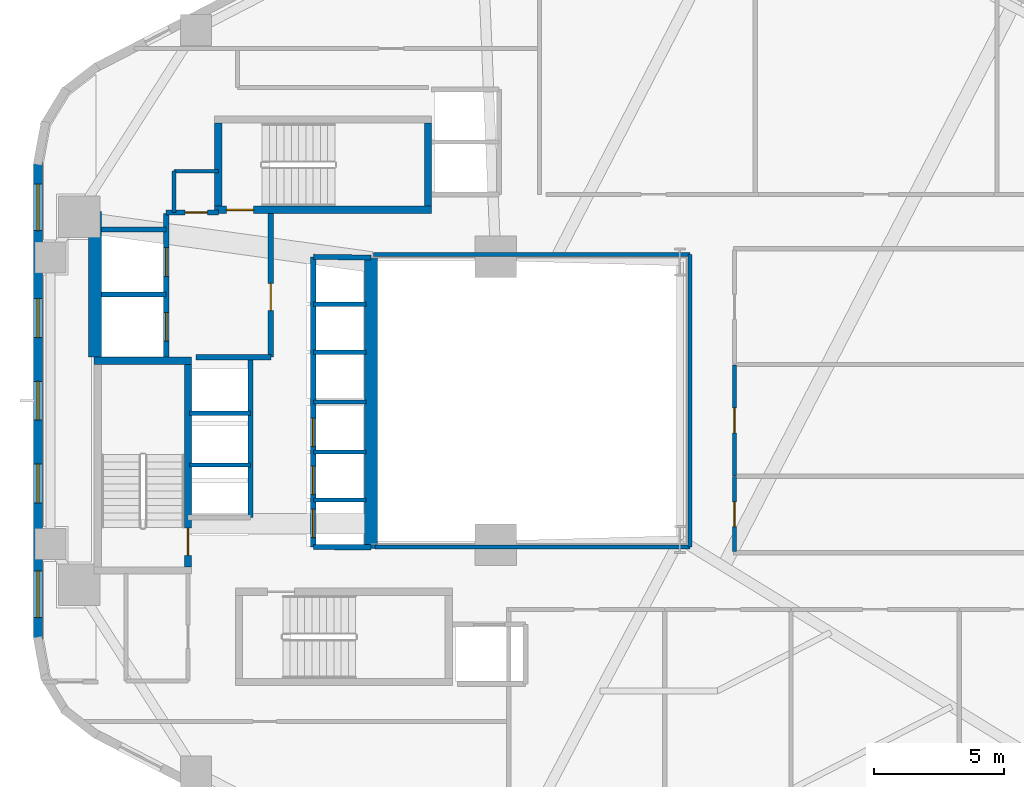
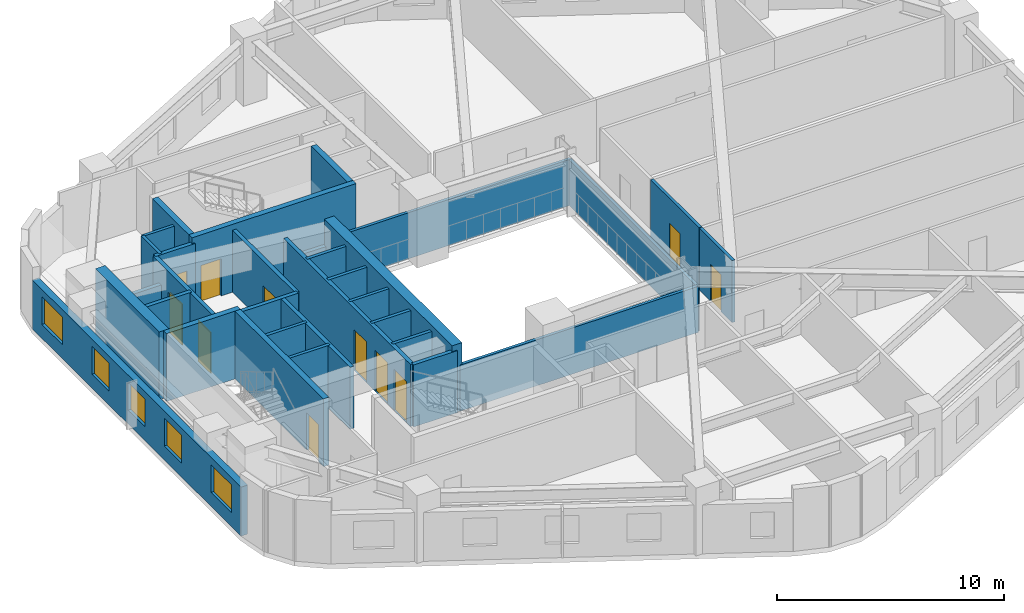
# One storey, part 3 of 6: 32 walls, 11 doors, 5 windows, 16 openings.
"""IFC4 building model written with IfcOpenShell, lengths in metres."""

from ifc_helpers import new_model, si_unit, direction, frame, frame_2d, origin, place, context, subcontext, project, spatial, rectangle, extrude, material, layer, layer_set, type_object, element, fill, save


model = new_model("IFC4")

# Units and contexts
model_context = context("Model", 3, precision=1e-05, world=origin(), true_north=direction((0.0, 1.0)))
body_context = subcontext(model_context, "Body", "Model", "MODEL_VIEW")
ifc_project = project(units=[si_unit("LENGTHUNIT", "METRE"), si_unit("AREAUNIT", "SQUARE_METRE"), si_unit("VOLUMEUNIT", "CUBIC_METRE"), si_unit("PLANEANGLEUNIT", "RADIAN"), si_unit("MASSUNIT", "GRAM", prefix="KILO"), si_unit("THERMODYNAMICTEMPERATUREUNIT", "KELVIN"), si_unit("POWERUNIT", "WATT")], contexts=[model_context])

# Site, building, storey
site_placement = place(None, origin())
site = spatial("IfcSite", under=ifc_project, at=site_placement, CompositionType="ELEMENT")
building_placement = place(site_placement, origin())
building = spatial("IfcBuilding", under=site, at=building_placement, Name="Skarre Station Tower", CompositionType="ELEMENT")
storey_placement = place(building_placement, frame((0.0, 0.0, 92.699951171875)))
storey = spatial("IfcBuildingStorey", under=building, at=storey_placement, Name="L24", CompositionType="ELEMENT", Elevation=92.699951171875)

# Walls
ifc_material_1 = material(Name="Acoustic Steel-Stud Gypsum Partition", Category="steel")
ifc_layer_1 = layer(ifc_material_1, 0.14990234375, Name="Acoustic Steel-Stud Gypsum Partition")
ifc_layer_set_1 = layer_set([ifc_layer_1], Name="Acoustic Steel-Stud Gypsum Partition")
wall_type_1 = type_object("IfcWallType", Name="Fire-Rated Corridor Acoustic Partition 150", PredefinedType="PARTITIONING", material=ifc_layer_set_1)
wall_1_placement = place(storey_placement, frame((19.949951171875, 32.85009765625, 0.0), z_axis=(0.0, 0.0, 1.0), x_axis=(0.0, -1.0, 0.0)))
element("IfcWall", 1, at=wall_1_placement, inside=storey, type_object=wall_type_1, Name="L24 Interior Partition WL-PT-L24-CNW-W", PredefinedType="PARTITIONING", context=body_context, shape_type="SweptSolid", body=[
    extrude(rectangle(XDim=1.590087890625, YDim=0.14990234375, at=frame_2d((0.794921875, 0.0))), origin(), (0.0, 0.0, 1.0), 3.340087890625),
])
wall_2_placement = place(storey_placement, frame((21.659912109375, 32.85009765625, 0.0), z_axis=(0.0, 0.0, 1.0), x_axis=(-1.0, 0.0, 0.0)))
element("IfcWall", 2, at=wall_2_placement, inside=storey, type_object=wall_type_1, Name="L24 Interior Partition WL-PT-L24-CNW-N1", PredefinedType="PARTITIONING", context=body_context, shape_type="SweptSolid", body=[
    extrude(rectangle(XDim=1.7099609375, YDim=0.14990234375, at=frame_2d((0.85498046875, 0.0))), origin(), (0.0, 0.0, 1.0), 3.340087890625),
])
wall_3_placement = place(storey_placement, frame((27.699951171875, 18.360107421875, 0.0), z_axis=(0.0, 0.0, 1.0), x_axis=(1.0, 0.0, 0.0)))
element("IfcWall", 3, at=wall_3_placement, inside=storey, type_object=wall_type_1, Name="L24 Interior Partition WL-PT-L24-ATRW-S", PredefinedType="PARTITIONING", context=body_context, shape_type="SweptSolid", body=[
    extrude(rectangle(XDim=12.14013671875, YDim=0.14990234375, at=frame_2d((6.070068359375, 0.0))), origin(), (0.0, 0.0, 1.0), 2.48095703125),
])
wall_4_placement = place(storey_placement, frame((39.840087890625, 29.639892578125, 0.0), z_axis=(0.0, 0.0, 1.0), x_axis=(-1.0, 0.0, 0.0)))
element("IfcWall", 4, at=wall_4_placement, inside=storey, type_object=wall_type_1, Name="L24 Interior Partition WL-PT-L24-ATRW-N", PredefinedType="PARTITIONING", context=body_context, shape_type="SweptSolid", body=[
    extrude(rectangle(XDim=12.2001953125, YDim=0.14990234375, at=frame_2d((6.10009765625, 0.0))), origin(), (0.0, 0.0, 1.0), 2.48095703125),
])
wall_5_placement = place(storey_placement, frame((39.840087890625, 18.360107421875, 0.0), z_axis=(0.0, 0.0, 1.0), x_axis=(0.0, 1.0, 0.0)))
element("IfcWall", 5, at=wall_5_placement, inside=storey, type_object=wall_type_1, Name="L24 Interior Partition WL-PT-L24-ATRW-E", PredefinedType="PARTITIONING", context=body_context, shape_type="SweptSolid", body=[
    extrude(rectangle(XDim=11.27978515625, YDim=0.14990234375, at=frame_2d((5.639892578125, 0.0))), origin(), (0.0, 0.0, 1.0), 2.463134765625),
])

# Wall, opening, door
wall_6_placement = place(storey_placement, frame((41.56005859375, 18.179931640625, 0.0), z_axis=(0.0, 0.0, 1.0), x_axis=(0.0, 1.0, 0.0)))
wall_6 = element("IfcWall", 6, at=wall_6_placement, inside=storey, type_object=wall_type_1, Name="L24 Interior Partition WL-PT-L24-EW1-CW", PredefinedType="PARTITIONING", context=body_context, shape_type="SweptSolid", body=[
    extrude(rectangle(XDim=2.89208984375, YDim=0.14990234375, at=frame_2d((1.446044921875, 0.0))), origin(), (0.0, 0.0, 1.0), 3.340087890625),
])
opening_1_placement = place(wall_6_placement, frame((0.966064453125, 0.0, 0.0)))
opening_1 = element("IfcOpeningElement", 7, at=opening_1_placement, cuts=wall_6, Name="Opening DR-FD60", PredefinedType="OPENING", context=body_context, shape_type="SweptSolid", body=[
    extrude(rectangle(XDim=0.9599609375, YDim=2.0, at=frame_2d((0.47998046875, 1.0))), frame((0.0, 0.0849609375, 0.0), z_axis=(0.0, -1.0, 0.0), x_axis=(1.0, 0.0, 0.0)), (0.0, 0.0, 1.0), 0.169921875),
])
ifc_material_2 = material(Name="Nordic White-Oak Veneer Solid-Core Fire Leaf", Category="wood")
door_type_1 = type_object("IfcDoorType", Name="Corridor Suite Entry Fire Door FD60 960x2150", OperationType="SINGLE_SWING_LEFT", PredefinedType="DOOR", material=ifc_material_2)
door_1_placement = place(opening_1_placement, origin())
door_1 = element("IfcDoor", 8, at=door_1_placement, inside=storey, type_object=door_type_1, Name="L24 EW1 Entry Door", OperationType="SINGLE_SWING_LEFT", OverallHeight=2.0, OverallWidth=0.9599609375, PredefinedType="DOOR", context=body_context, shape_type="SweptSolid", body=[
    extrude(rectangle(XDim=0.9599609375, YDim=2.0, at=frame_2d((0.47998046875, 1.0))), frame((0.0, 0.02490234375, 0.0), z_axis=(0.0, -1.0, 0.0), x_axis=(1.0, 0.0, 0.0)), (0.0, 0.0, 1.0), 0.050048828125),
])
fill(opening_1, door_1)

wall_7_placement = place(storey_placement, frame((41.56005859375, 21.10791015625, 0.0), z_axis=(0.0, 0.0, 1.0), x_axis=(0.0, 1.0, 0.0)))
wall_7 = element("IfcWall", 9, at=wall_7_placement, inside=storey, type_object=wall_type_1, Name="L24 Interior Partition WL-PT-L24-EW2-CW", PredefinedType="PARTITIONING", context=body_context, shape_type="SweptSolid", body=[
    extrude(rectangle(XDim=4.27099609375, YDim=0.14990234375, at=frame_2d((2.135498046875, 0.0))), origin(), (0.0, 0.0, 1.0), 3.340087890625),
])
opening_2_placement = place(wall_7_placement, frame((1.656005859375, 0.0, 0.0)))
opening_2 = element("IfcOpeningElement", 10, at=opening_2_placement, cuts=wall_7, Name="Opening DR-FD60", PredefinedType="OPENING", context=body_context, shape_type="SweptSolid", body=[
    extrude(rectangle(XDim=0.9599609375, YDim=2.0, at=frame_2d((0.47998046875, 1.0))), frame((0.0, 0.0849609375, 0.0), z_axis=(0.0, -1.0, 0.0), x_axis=(1.0, 0.0, 0.0)), (0.0, 0.0, 1.0), 0.169921875),
])
door_2_placement = place(opening_2_placement, origin())
door_2 = element("IfcDoor", 11, at=door_2_placement, inside=storey, type_object=door_type_1, Name="L24 EW2 Entry Door", OperationType="SINGLE_SWING_LEFT", OverallHeight=2.0, OverallWidth=0.9599609375, PredefinedType="DOOR", context=body_context, shape_type="SweptSolid", body=[
    extrude(rectangle(XDim=0.9599609375, YDim=2.0, at=frame_2d((0.47998046875, 1.0))), frame((0.0, 0.02490234375, 0.0), z_axis=(0.0, -1.0, 0.0), x_axis=(1.0, 0.0, 0.0)), (0.0, 0.0, 1.0), 0.050048828125),
])
fill(opening_2, door_2)

# Wall, openings, windows
ifc_material_3 = material(Name="Precast concrete C45/55", Category="concrete")
ifc_layer_2 = layer(ifc_material_3, 0.340087890625, Name="Precast concrete C45/55")
ifc_layer_set_2 = layer_set([ifc_layer_2], Name="Precast concrete C45/55")
wall_type_2 = type_object("IfcWallType", Name="Nordic Honed Precast Facet Wall 340", PredefinedType="STANDARD", material=ifc_layer_set_2)
wall_8_placement = place(storey_placement, frame((14.70703125, 14.798095703125, 0.0), z_axis=(0.0, 0.0, 1.0), x_axis=(0.0, 1.0, 0.0)))
wall_8 = element("IfcWall", 12, at=wall_8_placement, inside=storey, type_object=wall_type_2, Name="L24 Facet 2 Nordic Precast Masonry Wall", PredefinedType="STANDARD", context=body_context, shape_type="SweptSolid", body=[
    extrude(rectangle(XDim=18.40380859375, YDim=0.340087890625, at=frame_2d((9.201904296875, 0.0))), origin(), (0.0, 0.0, 1.0), 2.634033203125),
])
opening_3_placement = place(wall_8_placement, frame((0.844970703125, 0.0, 0.75)))
opening_3 = element("IfcOpeningElement", 13, at=opening_3_placement, cuts=wall_8, Name="Opening WN-Z1A", PredefinedType="OPENING", context=body_context, shape_type="SweptSolid", body=[
    extrude(rectangle(XDim=1.800048828125, YDim=1.5, at=frame_2d((0.89990234375, 0.75))), frame((0.0, 0.179931640625, 0.0), z_axis=(0.0, -1.0, 0.0), x_axis=(1.0, 0.0, 0.0)), (0.0, 0.0, 1.0), 0.360107421875),
])
opening_4_placement = place(wall_8_placement, frame((5.264892578125, 0.0, 0.75)))
opening_4 = element("IfcOpeningElement", 14, at=opening_4_placement, cuts=wall_8, Name="Opening WN-Z1B", PredefinedType="OPENING", context=body_context, shape_type="SweptSolid", body=[
    extrude(rectangle(XDim=1.5, YDim=1.5, at=frame_2d((0.75, 0.75))), frame((0.0, 0.179931640625, 0.0), z_axis=(0.0, -1.0, 0.0), x_axis=(1.0, 0.0, 0.0)), (0.0, 0.0, 1.0), 0.360107421875),
])
opening_5_placement = place(wall_8_placement, frame((8.451904296875, 0.0, 0.75)))
opening_5 = element("IfcOpeningElement", 15, at=opening_5_placement, cuts=wall_8, Name="Opening WN-Z1B", PredefinedType="OPENING", context=body_context, shape_type="SweptSolid", body=[
    extrude(rectangle(XDim=1.5, YDim=1.5, at=frame_2d((0.75, 0.75))), frame((0.0, 0.179931640625, 0.0), z_axis=(0.0, -1.0, 0.0), x_axis=(1.0, 0.0, 0.0)), (0.0, 0.0, 1.0), 0.360107421875),
])
opening_6_placement = place(wall_8_placement, frame((11.638916015625, 0.0, 0.75)))
opening_6 = element("IfcOpeningElement", 16, at=opening_6_placement, cuts=wall_8, Name="Opening WN-Z1B", PredefinedType="OPENING", context=body_context, shape_type="SweptSolid", body=[
    extrude(rectangle(XDim=1.5, YDim=1.5, at=frame_2d((0.75, 0.75))), frame((0.0, 0.179931640625, 0.0), z_axis=(0.0, -1.0, 0.0), x_axis=(1.0, 0.0, 0.0)), (0.0, 0.0, 1.0), 0.360107421875),
])
opening_7_placement = place(wall_8_placement, frame((15.758056640625, 0.0, 0.75)))
opening_7 = element("IfcOpeningElement", 17, at=opening_7_placement, cuts=wall_8, Name="Opening WN-Z1A", PredefinedType="OPENING", context=body_context, shape_type="SweptSolid", body=[
    extrude(rectangle(XDim=1.800048828125, YDim=1.5, at=frame_2d((0.89990234375, 0.75))), frame((0.0, 0.179931640625, 0.0), z_axis=(0.0, -1.0, 0.0), x_axis=(1.0, 0.0, 0.0)), (0.0, 0.0, 1.0), 0.360107421875),
])
ifc_material_4 = material(Name="Low-Iron Triple Glazing with Bronze Anodized Frame", Category="glass")
window_type_1 = type_object("IfcWindowType", Name="Nordic Punched Triple-Glazed Window 1500x1500", PartitioningType="SINGLE_PANEL", PredefinedType="WINDOW", material=ifc_material_4)
window_1_placement = place(opening_4_placement, origin())
window_1 = element("IfcWindow", 18, at=window_1_placement, inside=storey, type_object=window_type_1, Name="L24 Facade Window WL-FAC-L24-F2-2", OverallHeight=1.5, OverallWidth=1.5, PartitioningType="SINGLE_PANEL", PredefinedType="WINDOW", context=body_context, shape_type="SweptSolid", body=[
    extrude(rectangle(XDim=1.5, YDim=1.5, at=frame_2d((0.75, 0.75))), frame((0.0, 0.030029296875, 0.0), z_axis=(0.0, -1.0, 0.0), x_axis=(1.0, 0.0, 0.0)), (0.0, 0.0, 1.0), 0.06005859375),
])
fill(opening_4, window_1)
window_2_placement = place(opening_5_placement, origin())
window_2 = element("IfcWindow", 19, at=window_2_placement, inside=storey, type_object=window_type_1, Name="L24 Facade Window WL-FAC-L24-F2-3", OverallHeight=1.5, OverallWidth=1.5, PartitioningType="SINGLE_PANEL", PredefinedType="WINDOW", context=body_context, shape_type="SweptSolid", body=[
    extrude(rectangle(XDim=1.5, YDim=1.5, at=frame_2d((0.75, 0.75))), frame((0.0, 0.030029296875, 0.0), z_axis=(0.0, -1.0, 0.0), x_axis=(1.0, 0.0, 0.0)), (0.0, 0.0, 1.0), 0.06005859375),
])
fill(opening_5, window_2)
window_3_placement = place(opening_6_placement, origin())
window_3 = element("IfcWindow", 20, at=window_3_placement, inside=storey, type_object=window_type_1, Name="L24 Facade Window WL-FAC-L24-F2-4", OverallHeight=1.5, OverallWidth=1.5, PartitioningType="SINGLE_PANEL", PredefinedType="WINDOW", context=body_context, shape_type="SweptSolid", body=[
    extrude(rectangle(XDim=1.5, YDim=1.5, at=frame_2d((0.75, 0.75))), frame((0.0, 0.030029296875, 0.0), z_axis=(0.0, -1.0, 0.0), x_axis=(1.0, 0.0, 0.0)), (0.0, 0.0, 1.0), 0.06005859375),
])
fill(opening_6, window_3)
window_type_2 = type_object("IfcWindowType", Name="Nordic Punched Triple-Glazed Window 1800x1500", PartitioningType="SINGLE_PANEL", PredefinedType="WINDOW", material=ifc_material_4)
window_4_placement = place(opening_3_placement, origin())
window_4 = element("IfcWindow", 21, at=window_4_placement, inside=storey, type_object=window_type_2, Name="L24 Facade Window WL-FAC-L24-F2-1", OverallHeight=1.5, OverallWidth=1.800048828125, PartitioningType="SINGLE_PANEL", PredefinedType="WINDOW", context=body_context, shape_type="SweptSolid", body=[
    extrude(rectangle(XDim=1.800048828125, YDim=1.5, at=frame_2d((0.89990234375, 0.75))), frame((0.0, 0.030029296875, 0.0), z_axis=(0.0, -1.0, 0.0), x_axis=(1.0, 0.0, 0.0)), (0.0, 0.0, 1.0), 0.06005859375),
])
fill(opening_3, window_4)
window_5_placement = place(opening_7_placement, origin())
window_5 = element("IfcWindow", 22, at=window_5_placement, inside=storey, type_object=window_type_2, Name="L24 Facade Window WL-FAC-L24-F2-5", OverallHeight=1.5, OverallWidth=1.800048828125, PartitioningType="SINGLE_PANEL", PredefinedType="WINDOW", context=body_context, shape_type="SweptSolid", body=[
    extrude(rectangle(XDim=1.800048828125, YDim=1.5, at=frame_2d((0.89990234375, 0.75))), frame((0.0, 0.030029296875, 0.0), z_axis=(0.0, -1.0, 0.0), x_axis=(1.0, 0.0, 0.0)), (0.0, 0.0, 1.0), 0.06005859375),
])
fill(opening_7, window_5)

# Wall
ifc_material_5 = material(Name="Concrete C50/60", Category="concrete")
ifc_layer_3 = layer(ifc_material_5, 0.280029296875, Name="Concrete C50/60")
ifc_layer_set_3 = layer_set([ifc_layer_3], Name="Concrete C50/60")
wall_type_3 = type_object("IfcWallType", Name="RC Core Shear Wall 280", PredefinedType="SHEAR", material=ifc_layer_set_3)
wall_9_placement = place(storey_placement, frame((20.6298828125, 25.5400390625, 0.0), z_axis=(0.0, 0.0, 1.0), x_axis=(-1.0, 0.0, 0.0)))
element("IfcWall", 23, at=wall_9_placement, inside=storey, type_object=wall_type_3, Name="L24 Stair ST-1 North Shear Wall", PredefinedType="SHEAR", context=body_context, shape_type="SweptSolid", body=[
    extrude(rectangle(XDim=3.759765625, YDim=0.280029296875, at=frame_2d((1.8798828125, 0.0))), origin(), (0.0, 0.0, 1.0), 3.650146484375),
])

# Wall, opening, door
wall_10_placement = place(storey_placement, frame((20.489990234375, 17.60009765625, 0.0), z_axis=(0.0, 0.0, 1.0), x_axis=(0.0, 1.0, 0.0)))
wall_10 = element("IfcWall", 24, at=wall_10_placement, inside=storey, type_object=wall_type_3, Name="L24 Stair ST-1 East Shear Wall", PredefinedType="SHEAR", context=body_context, shape_type="SweptSolid", body=[
    extrude(rectangle(XDim=7.7998046875, YDim=0.280029296875, at=frame_2d((3.89990234375, 0.0))), origin(), (0.0, 0.0, 1.0), 3.650146484375),
])
opening_8_placement = place(wall_10_placement, frame((0.43994140625, 0.0, 0.0)))
opening_8 = element("IfcOpeningElement", 25, at=opening_8_placement, cuts=wall_10, Name="Opening DR-FD90", PredefinedType="OPENING", context=body_context, shape_type="SweptSolid", body=[
    extrude(rectangle(XDim=1.050048828125, YDim=2.0, at=frame_2d((0.52490234375, 1.0))), frame((0.0, 0.14990234375, 0.0), z_axis=(0.0, -1.0, 0.0), x_axis=(1.0, 0.0, 0.0)), (0.0, 0.0, 1.0), 0.300048828125),
])
ifc_material_6 = material(Name="Fire-Rated Insulated Steel Frame & Timber Core Leaf", Category="steel")
door_type_2 = type_object("IfcDoorType", Name="Stair & FSAE Lobby Fire Door FD90 1050x2150", OperationType="SINGLE_SWING_RIGHT", PredefinedType="DOOR", material=ifc_material_6)
door_3_placement = place(opening_8_placement, origin())
door_3 = element("IfcDoor", 26, at=door_3_placement, inside=storey, type_object=door_type_2, Name="L24 Stair ST-1 Exit Door", OperationType="SINGLE_SWING_RIGHT", OverallHeight=2.0, OverallWidth=1.050048828125, PredefinedType="DOOR", context=body_context, shape_type="SweptSolid", body=[
    extrude(rectangle(XDim=1.050048828125, YDim=2.0, at=frame_2d((0.52490234375, 1.0))), frame((0.0, 0.02490234375, 0.0), z_axis=(0.0, -1.0, 0.0), x_axis=(1.0, 0.0, 0.0)), (0.0, 0.0, 1.0), 0.050048828125),
])
fill(opening_8, door_3)

wall_11_placement = place(storey_placement, frame((21.52001953125, 31.360107421875, 0.0), z_axis=(0.0, 0.0, 1.0), x_axis=(1.0, 0.0, 0.0)))
wall_11 = element("IfcWall", 27, at=wall_11_placement, inside=storey, type_object=wall_type_3, Name="L24 Stair ST-3 South Shear Wall", PredefinedType="SHEAR", context=body_context, shape_type="SweptSolid", body=[
    extrude(rectangle(XDim=8.35986328125, YDim=0.280029296875, at=frame_2d((4.179931640625, 0.0))), origin(), (0.0, 0.0, 1.0), 3.650146484375),
])
opening_9_placement = place(wall_11_placement, frame((0.449951171875, 0.0, 0.0)))
opening_9 = element("IfcOpeningElement", 28, at=opening_9_placement, cuts=wall_11, Name="Opening DR-FD90", PredefinedType="OPENING", context=body_context, shape_type="SweptSolid", body=[
    extrude(rectangle(XDim=1.050048828125, YDim=2.0, at=frame_2d((0.52490234375, 1.0))), frame((0.0, 0.14990234375, 0.0), z_axis=(0.0, -1.0, 0.0), x_axis=(1.0, 0.0, 0.0)), (0.0, 0.0, 1.0), 0.300048828125),
])
door_4_placement = place(opening_9_placement, origin())
door_4 = element("IfcDoor", 29, at=door_4_placement, inside=storey, type_object=door_type_2, Name="L24 Stair ST-3 & FSAE Lobby Direct Exit Door", OperationType="SINGLE_SWING_LEFT", OverallHeight=2.0, OverallWidth=1.050048828125, PredefinedType="DOOR", context=body_context, shape_type="SweptSolid", body=[
    extrude(rectangle(XDim=1.050048828125, YDim=2.0, at=frame_2d((0.52490234375, 1.0))), frame((0.0, 0.02490234375, 0.0), z_axis=(0.0, -1.0, 0.0), x_axis=(1.0, 0.0, 0.0)), (0.0, 0.0, 1.0), 0.050048828125),
])
fill(opening_9, door_4)

# Walls
for number, where, z_axis, x_axis, name in (
    (30, (21.659912109375, 34.699951171875, 0.0), (0.0, 0.0, 1.0), (0.0, -1.0, 0.0), "L24 Stair ST-3 West Shear Wall"),
    (31, (29.739990234375, 31.5, 0.0), (0.0, 0.0, 1.0), (0.0, 1.0, 0.0), "L24 Stair ST-3 East Shear Wall"),
):
    element("IfcWall", number, at=place(storey_placement, frame(where, z_axis=z_axis, x_axis=x_axis)), inside=storey, type_object=wall_type_3, Name=name, PredefinedType="SHEAR", context=body_context, shape_type="SweptSolid", body=[
        extrude(rectangle(XDim=3.199951171875, YDim=0.280029296875, at=frame_2d((1.60009765625, 0.0))), origin(), (0.0, 0.0, 1.0), 3.650146484375),
    ])
ifc_material_7 = material(Name="Concrete C70/85", Category="concrete")
ifc_layer_4 = layer(ifc_material_7, 0.5, Name="Concrete C70/85")
ifc_layer_set_4 = layer_set([ifc_layer_4], Name="Concrete C70/85")
wall_type_4 = type_object("IfcWallType", Name="RC Core Shear Wall 500", PredefinedType="SHEAR", material=ifc_layer_set_4)
wall_12_placement = place(storey_placement, frame((16.89990234375, 25.679931640625, 0.0), z_axis=(0.0, 0.0, 1.0), x_axis=(0.0, 1.0, 0.0)))
element("IfcWall", 32, at=wall_12_placement, inside=storey, type_object=wall_type_4, Name="L24 Core West-North Shear Wall", PredefinedType="SHEAR", context=body_context, shape_type="SweptSolid", body=[
    extrude(rectangle(XDim=5.6201171875, YDim=0.5, at=frame_2d((2.81005859375, 0.0))), origin(), (0.0, 0.0, 1.0), 3.650146484375),
])
wall_13_placement = place(storey_placement, frame((27.550048828125, 29.550048828125, 0.0), z_axis=(0.0, 0.0, 1.0), x_axis=(0.0, -1.0, 0.0)))
element("IfcWall", 33, at=wall_13_placement, inside=storey, type_object=wall_type_4, Name="L24 Core East Atrium Shear Wall", PredefinedType="SHEAR", context=body_context, shape_type="SweptSolid", body=[
    extrude(rectangle(XDim=11.25, YDim=0.5, at=frame_2d((5.625, 0.0))), origin(), (0.0, 0.0, 1.0), 3.650146484375),
])

# Wall, openings, doors
ifc_material_8 = material(Name="Gypsum Concrete Shaft Assembly C30/37", Category="concrete")
ifc_layer_5 = layer(ifc_material_8, 0.199951171875, Name="Gypsum Concrete Shaft Assembly C30/37")
ifc_layer_set_5 = layer_set([ifc_layer_5], Name="Gypsum Concrete Shaft Assembly C30/37")
wall_type_5 = type_object("IfcWallType", Name="Shaft & Core Fire Partition 200", PredefinedType="PARTITIONING", material=ifc_layer_set_5)
wall_14_placement = place(storey_placement, frame((19.64990234375, 25.679931640625, 0.0), z_axis=(0.0, 0.0, 1.0), x_axis=(0.0, 1.0, 0.0)))
wall_14 = element("IfcWall", 34, at=wall_14_placement, inside=storey, type_object=wall_type_5, Name="L24 Interior Partition WL-PT-L24-FSAE-W", PredefinedType="PARTITIONING", context=body_context, shape_type="SweptSolid", body=[
    extrude(rectangle(XDim=5.5400390625, YDim=0.199951171875, at=frame_2d((2.77001953125, 0.0))), origin(), (0.0, 0.0, 1.0), 3.340087890625),
])
opening_10_placement = place(wall_14_placement, frame((0.6201171875, 0.0, 0.0)))
opening_10 = element("IfcOpeningElement", 35, at=opening_10_placement, cuts=wall_14, Name="Opening LD-FF1", PredefinedType="OPENING", context=body_context, shape_type="SweptSolid", body=[
    extrude(rectangle(XDim=1.10009765625, YDim=2.199951171875, at=frame_2d((0.550048828125, 1.10009765625))), frame((0.0, 0.10986328125, 0.0), z_axis=(0.0, -1.0, 0.0), x_axis=(1.0, 0.0, 0.0)), (0.0, 0.0, 1.0), 0.219970703125),
])
opening_11_placement = place(wall_14_placement, frame((3.1201171875, 0.0, 0.0)))
opening_11 = element("IfcOpeningElement", 36, at=opening_11_placement, cuts=wall_14, Name="Opening LD-FF2", PredefinedType="OPENING", context=body_context, shape_type="SweptSolid", body=[
    extrude(rectangle(XDim=1.10009765625, YDim=2.199951171875, at=frame_2d((0.550048828125, 1.10009765625))), frame((0.0, 0.10986328125, 0.0), z_axis=(0.0, -1.0, 0.0), x_axis=(1.0, 0.0, 0.0)), (0.0, 0.0, 1.0), 0.219970703125),
])
ifc_material_9 = material(Name="Fire-Rated Stainless Steel Grade 316L Sliding Leaves", Category="steel")
door_type_3 = type_object("IfcDoorType", Name="Fire Service Access Elevator Sliding Landing Door 1100x2200", OperationType="SLIDING_TO_LEFT", PredefinedType="DOOR", material=ifc_material_9)
door_5_placement = place(opening_10_placement, origin())
door_5 = element("IfcDoor", 37, at=door_5_placement, inside=storey, type_object=door_type_3, Name="L24 Firefighting Lift LF-FF1 Landing Door", OperationType="SLIDING_TO_LEFT", OverallHeight=2.199951171875, OverallWidth=1.10009765625, PredefinedType="DOOR", context=body_context, shape_type="SweptSolid", body=[
    extrude(rectangle(XDim=1.10009765625, YDim=2.199951171875, at=frame_2d((0.550048828125, 1.10009765625))), frame((0.0, 0.02490234375, 0.0), z_axis=(0.0, -1.0, 0.0), x_axis=(1.0, 0.0, 0.0)), (0.0, 0.0, 1.0), 0.050048828125),
])
fill(opening_10, door_5)
door_6_placement = place(opening_11_placement, origin())
door_6 = element("IfcDoor", 38, at=door_6_placement, inside=storey, type_object=door_type_3, Name="L24 Firefighting Lift LF-FF2 Landing Door", OperationType="SLIDING_TO_LEFT", OverallHeight=2.199951171875, OverallWidth=1.10009765625, PredefinedType="DOOR", context=body_context, shape_type="SweptSolid", body=[
    extrude(rectangle(XDim=1.10009765625, YDim=2.199951171875, at=frame_2d((0.550048828125, 1.10009765625))), frame((0.0, 0.02490234375, 0.0), z_axis=(0.0, -1.0, 0.0), x_axis=(1.0, 0.0, 0.0)), (0.0, 0.0, 1.0), 0.050048828125),
])
fill(opening_11, door_6)

# Wall
wall_15_placement = place(storey_placement, frame((20.79296875, 25.679931640625, 0.0), z_axis=(0.0, 0.0, 1.0), x_axis=(1.0, 0.0, 0.0)))
element("IfcWall", 39, at=wall_15_placement, inside=storey, type_object=wall_type_5, Name="L24 Interior Partition WL-PT-L24-FSAE-S", PredefinedType="PARTITIONING", context=body_context, shape_type="SweptSolid", body=[
    extrude(rectangle(XDim=2.886962890625, YDim=0.199951171875, at=frame_2d((1.443359375, 0.0))), origin(), (0.0, 0.0, 1.0), 3.340087890625),
])

# Wall, opening, door
wall_16_placement = place(storey_placement, frame((23.679931640625, 25.679931640625, 0.0), z_axis=(0.0, 0.0, 1.0), x_axis=(0.0, 1.0, 0.0)))
wall_16 = element("IfcWall", 40, at=wall_16_placement, inside=storey, type_object=wall_type_5, Name="L24 Interior Partition WL-PT-L24-FSAE-E", PredefinedType="PARTITIONING", context=body_context, shape_type="SweptSolid", body=[
    extrude(rectangle(XDim=5.5400390625, YDim=0.199951171875, at=frame_2d((2.77001953125, 0.0))), origin(), (0.0, 0.0, 1.0), 3.340087890625),
])
opening_12_placement = place(wall_16_placement, frame((1.800048828125, 0.0, 0.0)))
opening_12 = element("IfcOpeningElement", 41, at=opening_12_placement, cuts=wall_16, Name="Opening DR-FD90", PredefinedType="OPENING", context=body_context, shape_type="SweptSolid", body=[
    extrude(rectangle(XDim=1.050048828125, YDim=2.0, at=frame_2d((0.52490234375, 1.0))), frame((0.0, 0.10986328125, 0.0), z_axis=(0.0, -1.0, 0.0), x_axis=(1.0, 0.0, 0.0)), (0.0, 0.0, 1.0), 0.219970703125),
])
door_7_placement = place(opening_12_placement, origin())
door_7 = element("IfcDoor", 42, at=door_7_placement, inside=storey, type_object=door_type_2, Name="L24 FSAE Lobby Fire Door", OperationType="SINGLE_SWING_RIGHT", OverallHeight=2.0, OverallWidth=1.050048828125, PredefinedType="DOOR", context=body_context, shape_type="SweptSolid", body=[
    extrude(rectangle(XDim=1.050048828125, YDim=2.0, at=frame_2d((0.52490234375, 1.0))), frame((0.0, 0.02490234375, 0.0), z_axis=(0.0, -1.0, 0.0), x_axis=(1.0, 0.0, 0.0)), (0.0, 0.0, 1.0), 0.050048828125),
])
fill(opening_12, door_7)

wall_17_placement = place(storey_placement, frame((21.659912109375, 31.260009765625, 0.0), z_axis=(0.0, 0.0, 1.0), x_axis=(-1.0, 0.0, 0.0)))
wall_17 = element("IfcWall", 43, at=wall_17_placement, inside=storey, type_object=wall_type_5, Name="L24 Interior Partition WL-PT-L24-FSAE-N", PredefinedType="PARTITIONING", context=body_context, shape_type="SweptSolid", body=[
    extrude(rectangle(XDim=2.010009765625, YDim=0.199951171875, at=frame_2d((1.0048828125, 0.0))), origin(), (0.0, 0.0, 1.0), 3.340087890625),
])
opening_13_placement = place(wall_17_placement, frame((0.419921875, 0.0, 0.0)))
opening_13 = element("IfcOpeningElement", 44, at=opening_13_placement, cuts=wall_17, Name="Opening DR-SVC86", PredefinedType="OPENING", context=body_context, shape_type="SweptSolid", body=[
    extrude(rectangle(XDim=0.860107421875, YDim=2.0, at=frame_2d((0.43017578125, 1.0))), frame((0.0, 0.10986328125, 0.0), z_axis=(0.0, -1.0, 0.0), x_axis=(1.0, 0.0, 0.0)), (0.0, 0.0, 1.0), 0.219970703125),
])
ifc_material_10 = material(Name="Powder-Coated Hollow-Metal Acoustic Fire Leaf", Category="steel")
door_type_4 = type_object("IfcDoorType", Name="Compact Riser Fire Door FD60 860x2100", OperationType="SINGLE_SWING_LEFT", PredefinedType="DOOR", material=ifc_material_10)
door_8_placement = place(opening_13_placement, origin())
door_8 = element("IfcDoor", 45, at=door_8_placement, inside=storey, type_object=door_type_4, Name="L24 Core Service Room Lobby Door", OperationType="SINGLE_SWING_LEFT", OverallHeight=2.0, OverallWidth=0.860107421875, PredefinedType="DOOR", context=body_context, shape_type="SweptSolid", body=[
    extrude(rectangle(XDim=0.860107421875, YDim=2.0, at=frame_2d((0.43017578125, 1.0))), frame((0.0, 0.02490234375, 0.0), z_axis=(0.0, -1.0, 0.0), x_axis=(1.0, 0.0, 0.0)), (0.0, 0.0, 1.0), 0.050048828125),
])
fill(opening_13, door_8)

# Walls
wall_18_placement = place(storey_placement, frame((17.14990234375, 28.10009765625, 0.0), z_axis=(0.0, 0.0, 1.0), x_axis=(1.0, 0.0, 0.0)))
element("IfcWall", 46, at=wall_18_placement, inside=storey, type_object=wall_type_5, Name="L24 Interior Partition WL-PT-L24-FF-DIV", PredefinedType="PARTITIONING", context=body_context, shape_type="SweptSolid", body=[
    extrude(rectangle(XDim=2.5, YDim=0.199951171875, at=frame_2d((1.25, 0.0))), origin(), (0.0, 0.0, 1.0), 3.340087890625),
])
wall_19_placement = place(storey_placement, frame((19.64990234375, 30.60009765625, 0.0), z_axis=(0.0, 0.0, 1.0), x_axis=(-1.0, 0.0, 0.0)))
element("IfcWall", 47, at=wall_19_placement, inside=storey, type_object=wall_type_5, Name="L24 Interior Partition WL-PT-L24-FF-N", PredefinedType="PARTITIONING", context=body_context, shape_type="SweptSolid", body=[
    extrude(rectangle(XDim=2.5, YDim=0.199951171875, at=frame_2d((1.25, 0.0))), origin(), (0.0, 0.0, 1.0), 2.239990234375),
])
wall_20_placement = place(storey_placement, frame((22.89990234375, 19.5, 0.0), z_axis=(0.0, 0.0, 1.0), x_axis=(0.0, 1.0, 0.0)))
element("IfcWall", 48, at=wall_20_placement, inside=storey, type_object=wall_type_5, Name="L24 Interior Partition WL-PT-L24-B3-E", PredefinedType="PARTITIONING", context=body_context, shape_type="SweptSolid", body=[
    extrude(rectangle(XDim=6.0849609375, YDim=0.199951171875, at=frame_2d((3.04248046875, 0.0))), origin(), (0.0, 0.0, 1.0), 3.340087890625),
])
for number, where, z_axis, x_axis, name in (
    (49, (20.550048828125, 21.52001953125, 0.0), (0.0, 0.0, 1.0), (1.0, 0.0, 0.0), "L24 Interior Partition WL-PT-L24-B3-D1"),
    (50, (20.550048828125, 23.52001953125, 0.0), (0.0, 0.0, 1.0), (1.0, 0.0, 0.0), "L24 Interior Partition WL-PT-L24-B3-D2"),
):
    element("IfcWall", number, at=place(storey_placement, frame(where, z_axis=z_axis, x_axis=x_axis)), inside=storey, type_object=wall_type_5, Name=name, PredefinedType="PARTITIONING", context=body_context, shape_type="SweptSolid", body=[
        extrude(rectangle(XDim=2.349853515625, YDim=0.159912109375, at=frame_2d((1.1748046875, 0.0))), origin(), (0.0, 0.0, 1.0), 3.340087890625),
    ])

# Wall, openings, doors
wall_21_placement = place(storey_placement, frame((25.320068359375, 29.550048828125, 0.0), z_axis=(0.0, 0.0, 1.0), x_axis=(0.0, -1.0, 0.0)))
wall_21 = element("IfcWall", 51, at=wall_21_placement, inside=storey, type_object=wall_type_5, Name="L24 Interior Partition WL-PT-L24-B12-W", PredefinedType="PARTITIONING", context=body_context, shape_type="SweptSolid", body=[
    extrude(rectangle(XDim=11.18994140625, YDim=0.199951171875, at=frame_2d((5.594970703125, 0.0))), origin(), (0.0, 0.0, 1.0), 3.340087890625),
])
opening_14_placement = place(wall_21_placement, frame((6.219970703125, 0.0, 0.0)))
opening_14 = element("IfcOpeningElement", 52, at=opening_14_placement, cuts=wall_21, Name="Opening LD-P3", PredefinedType="OPENING", context=body_context, shape_type="SweptSolid", body=[
    extrude(rectangle(XDim=1.10009765625, YDim=2.199951171875, at=frame_2d((0.550048828125, 1.10009765625))), frame((0.0, 0.10986328125, 0.0), z_axis=(0.0, -1.0, 0.0), x_axis=(1.0, 0.0, 0.0)), (0.0, 0.0, 1.0), 0.219970703125),
])
opening_15_placement = place(wall_21_placement, frame((8.070068359375, 0.0, 0.0)))
opening_15 = element("IfcOpeningElement", 53, at=opening_15_placement, cuts=wall_21, Name="Opening LD-P2", PredefinedType="OPENING", context=body_context, shape_type="SweptSolid", body=[
    extrude(rectangle(XDim=1.10009765625, YDim=2.199951171875, at=frame_2d((0.550048828125, 1.10009765625))), frame((0.0, 0.10986328125, 0.0), z_axis=(0.0, -1.0, 0.0), x_axis=(1.0, 0.0, 0.0)), (0.0, 0.0, 1.0), 0.219970703125),
])
opening_16_placement = place(wall_21_placement, frame((9.72998046875, 0.0, 0.0)))
opening_16 = element("IfcOpeningElement", 54, at=opening_16_placement, cuts=wall_21, Name="Opening LD-P1", PredefinedType="OPENING", context=body_context, shape_type="SweptSolid", body=[
    extrude(rectangle(XDim=1.10009765625, YDim=2.199951171875, at=frame_2d((0.550048828125, 1.10009765625))), frame((0.0, 0.10986328125, 0.0), z_axis=(0.0, -1.0, 0.0), x_axis=(1.0, 0.0, 0.0)), (0.0, 0.0, 1.0), 0.219970703125),
])
ifc_material_11 = material(Name="Brushed Bronze Stainless Steel Sliding Leaves", Category="steel")
door_type_5 = type_object("IfcDoorType", Name="Passenger Elevator Center-Parting Sliding Door 1100x2200", OperationType="SLIDING_TO_LEFT", PredefinedType="DOOR", material=ifc_material_11)
door_9_placement = place(opening_14_placement, origin())
door_9 = element("IfcDoor", 55, at=door_9_placement, inside=storey, type_object=door_type_5, Name="L24 Passenger Lift LF-P3 Landing Door", OperationType="SLIDING_TO_LEFT", OverallHeight=2.199951171875, OverallWidth=1.10009765625, PredefinedType="DOOR", context=body_context, shape_type="SweptSolid", body=[
    extrude(rectangle(XDim=1.10009765625, YDim=2.199951171875, at=frame_2d((0.550048828125, 1.10009765625))), frame((0.0, 0.02490234375, 0.0), z_axis=(0.0, -1.0, 0.0), x_axis=(1.0, 0.0, 0.0)), (0.0, 0.0, 1.0), 0.050048828125),
])
fill(opening_14, door_9)
door_10_placement = place(opening_15_placement, origin())
door_10 = element("IfcDoor", 56, at=door_10_placement, inside=storey, type_object=door_type_5, Name="L24 Passenger Lift LF-P2 Landing Door", OperationType="SLIDING_TO_LEFT", OverallHeight=2.199951171875, OverallWidth=1.10009765625, PredefinedType="DOOR", context=body_context, shape_type="SweptSolid", body=[
    extrude(rectangle(XDim=1.10009765625, YDim=2.199951171875, at=frame_2d((0.550048828125, 1.10009765625))), frame((0.0, 0.02490234375, 0.0), z_axis=(0.0, -1.0, 0.0), x_axis=(1.0, 0.0, 0.0)), (0.0, 0.0, 1.0), 0.050048828125),
])
fill(opening_15, door_10)
door_11_placement = place(opening_16_placement, origin())
door_11 = element("IfcDoor", 57, at=door_11_placement, inside=storey, type_object=door_type_5, Name="L24 Passenger Lift LF-P1 Landing Door", OperationType="SLIDING_TO_LEFT", OverallHeight=2.199951171875, OverallWidth=1.10009765625, PredefinedType="DOOR", context=body_context, shape_type="SweptSolid", body=[
    extrude(rectangle(XDim=1.10009765625, YDim=2.199951171875, at=frame_2d((0.550048828125, 1.10009765625))), frame((0.0, 0.02490234375, 0.0), z_axis=(0.0, -1.0, 0.0), x_axis=(1.0, 0.0, 0.0)), (0.0, 0.0, 1.0), 0.050048828125),
])
fill(opening_16, door_11)

# Walls
wall_22_placement = place(storey_placement, frame((25.320068359375, 18.360107421875, 0.0), z_axis=(0.0, 0.0, 1.0), x_axis=(0.999989925833, -0.004488678231, 0.0)))
element("IfcWall", 58, at=wall_22_placement, inside=storey, type_object=wall_type_5, Name="L24 Interior Partition WL-PT-L24-B12-S", PredefinedType="PARTITIONING", context=body_context, shape_type="SweptSolid", body=[
    extrude(rectangle(XDim=2.22998046875, YDim=0.199951171875, at=frame_2d((1.114990234375, 0.0))), origin(), (0.0, 0.0, 1.0), 3.340087890625),
])
wall_23_placement = place(storey_placement, frame((27.550048828125, 29.52001953125, 0.0), z_axis=(0.0, 0.0, 1.0), x_axis=(-0.999909343457, 0.013464949556, 0.0)))
element("IfcWall", 59, at=wall_23_placement, inside=storey, type_object=wall_type_5, Name="L24 Interior Partition WL-PT-L24-B12-N", PredefinedType="PARTITIONING", context=body_context, shape_type="SweptSolid", body=[
    extrude(rectangle(XDim=2.230224609375, YDim=0.199951171875, at=frame_2d((1.115234375, 0.0))), origin(), (0.0, 0.0, 1.0), 2.239990234375),
])
for number, where, z_axis, x_axis, name in (
    (60, (25.320068359375, 20.169921875, 0.0), (0.0, 0.0, 1.0), (1.0, 0.0, 0.0), "L24 Interior Partition WL-PT-L24-B12-D201"),
    (61, (25.320068359375, 22.02001953125, 0.0), (0.0, 0.0, 1.0), (1.0, 0.0, 0.0), "L24 Interior Partition WL-PT-L24-B12-D220"),
    (62, (25.320068359375, 23.949951171875, 0.0), (0.0, 0.0, 1.0), (1.0, 0.0, 0.0), "L24 Interior Partition WL-PT-L24-B12-D239"),
    (63, (25.320068359375, 25.8701171875, 0.0), (0.0, 0.0, 1.0), (1.0, 0.0, 0.0), "L24 Interior Partition WL-PT-L24-B12-D258"),
    (64, (25.320068359375, 27.719970703125, 0.0), (0.0, 0.0, 1.0), (1.0, 0.0, 0.0), "L24 Interior Partition WL-PT-L24-B12-D277"),
):
    element("IfcWall", number, at=place(storey_placement, frame(where, z_axis=z_axis, x_axis=x_axis)), inside=storey, type_object=wall_type_5, Name=name, PredefinedType="PARTITIONING", context=body_context, shape_type="SweptSolid", body=[
        extrude(rectangle(XDim=2.030029296875, YDim=0.159912109375, at=frame_2d((1.01513671875, 0.0))), origin(), (0.0, 0.0, 1.0), 3.340087890625),
    ])

save(model, "model.ifc")
